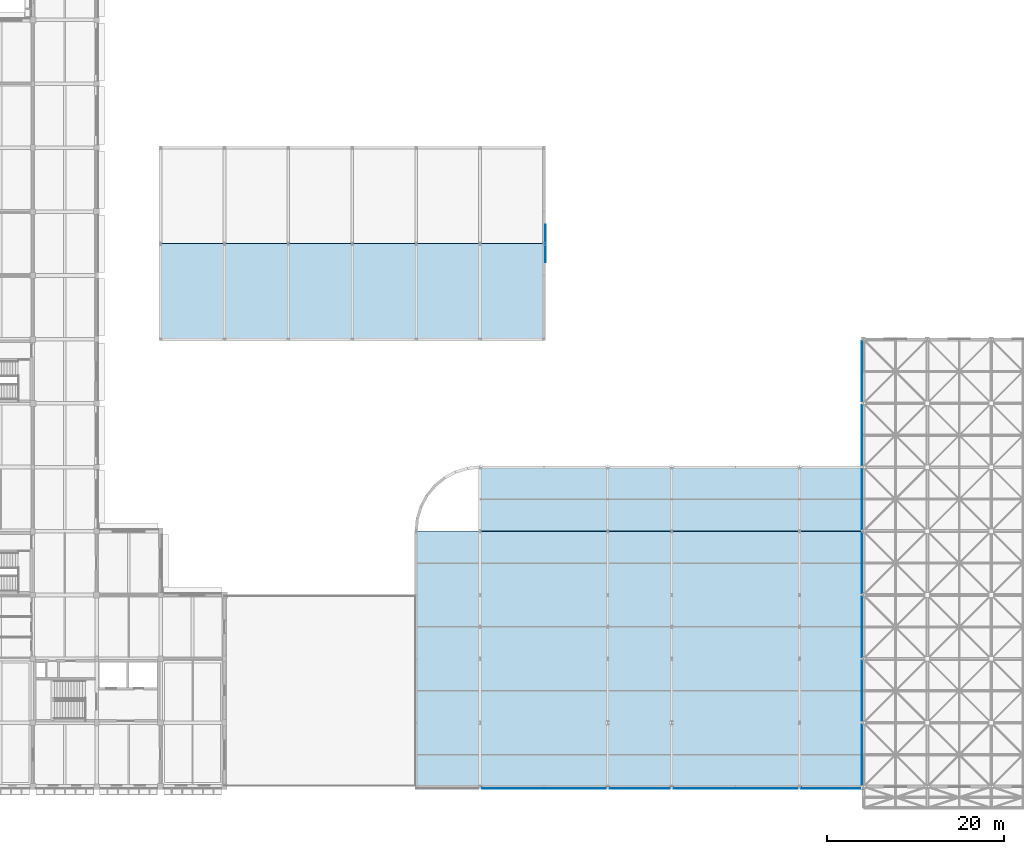
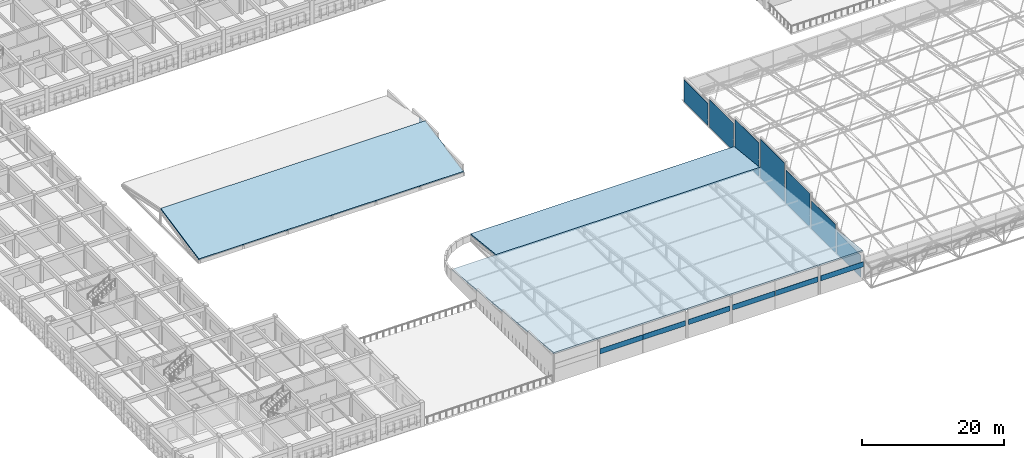
# One storey, part 69 of 103: 14 plates, 3 slabs, 2 elements without a shape of their own.
"""IFC4 building model written with IfcOpenShell, lengths in metres."""

from ifc_helpers import new_model, si_unit, direction, frame, origin, origin_2d, place, context, subcontext, project, spatial, polyline, rectangle, outline, extrude, material, layer, layer_set, type_object, element, aggregate, save


model = new_model("IFC4")

# Units and contexts
model_context = context("Model", 3, precision=1e-05, world=origin(), true_north=direction((0.0, 1.0)))
body_context = subcontext(model_context, "Body", "Model", "MODEL_VIEW")
ifc_project = project(units=[si_unit("LENGTHUNIT", "METRE"), si_unit("AREAUNIT", "SQUARE_METRE"), si_unit("VOLUMEUNIT", "CUBIC_METRE"), si_unit("PLANEANGLEUNIT", "RADIAN"), si_unit("MASSUNIT", "GRAM", prefix="KILO")], contexts=[model_context])

# Site, building, storey
site_placement = place(None, origin())
site = spatial("IfcSite", under=ifc_project, at=site_placement, CompositionType="ELEMENT")
building_placement = place(site_placement, origin())
building = spatial("IfcBuilding", under=site, at=building_placement, Name="Thalmaran Polytechnic", CompositionType="ELEMENT")
storey_placement = place(building_placement, frame((0.0, 0.0, 14.39990234375)))
storey = spatial("IfcBuildingStorey", under=building, at=storey_placement, Name="L03", CompositionType="ELEMENT", Elevation=14.39990234375)

# Plates
ifc_material_1 = material(Name="Anodised aluminium spandrel band", Category="aluminium")
ifc_layer_1 = layer(ifc_material_1, 0.054931640625, Name="Anodised aluminium spandrel band")
ifc_layer_set_1 = layer_set([ifc_layer_1], Name="Anodised aluminium spandrel band")
plate_type = type_object("IfcPlateType", Name="PT-BD01", PredefinedType="SHEET", material=ifc_layer_set_1)
plate_1_placement = place(storey_placement, frame((107.820068359375, 3.60009765625, 0.2802734375), z_axis=(0.0, 0.0, 1.0), x_axis=(1.0, 0.0, 0.0)))
element("IfcPlate", 1, at=plate_1_placement, inside=storey, type_object=plate_type, Name="Workshop Translucent Gable Clerestory Panel W-00", PredefinedType="SHEET", context=body_context, shape_type="SweptSolid", body=[
    extrude(rectangle(XDim=0.0400390625, YDim=6.780029296875, at=origin_2d()), origin(), (0.0, 0.0, 1.0), 3.843994140625),
])
plate_2_placement = place(storey_placement, frame((107.820068359375, 10.800048828125, 0.2802734375), z_axis=(0.0, 0.0, 1.0), x_axis=(1.0, 0.0, 0.0)))
element("IfcPlate", 2, at=plate_2_placement, inside=storey, type_object=plate_type, Name="Workshop Translucent Gable Clerestory Panel W-01", PredefinedType="SHEET", context=body_context, shape_type="SweptSolid", body=[
    extrude(rectangle(XDim=0.0400390625, YDim=6.780029296875, at=origin_2d()), origin(), (0.0, 0.0, 1.0), 4.791748046875),
])
plate_3_placement = place(storey_placement, frame((107.820068359375, 18.0, 0.280029296875), z_axis=(0.0, 0.0, 1.0), x_axis=(1.0, 0.0, 0.0)))
element("IfcPlate", 3, at=plate_3_placement, inside=storey, type_object=plate_type, Name="Workshop Translucent Gable Clerestory Panel W-02", PredefinedType="SHEET", context=body_context, shape_type="SweptSolid", body=[
    extrude(rectangle(XDim=0.0400390625, YDim=6.780029296875, at=origin_2d()), origin(), (0.0, 0.0, 1.0), 5.73974609375),
])
plate_4_placement = place(storey_placement, frame((107.820068359375, 25.199951171875, 0.280029296875), z_axis=(0.0, 0.0, 1.0), x_axis=(1.0, 0.0, 0.0)))
element("IfcPlate", 4, at=plate_4_placement, inside=storey, type_object=plate_type, Name="Workshop Translucent Gable Clerestory Panel W-03", PredefinedType="SHEET", context=body_context, shape_type="SweptSolid", body=[
    extrude(rectangle(XDim=0.0400390625, YDim=6.780029296875, at=origin_2d()), origin(), (0.0, 0.0, 1.0), 6.6875),
])
plate_5_placement = place(storey_placement, frame((107.820068359375, 32.39990234375, 0.280029296875), z_axis=(0.0, 0.0, 1.0), x_axis=(1.0, 0.0, 0.0)))
element("IfcPlate", 5, at=plate_5_placement, inside=storey, type_object=plate_type, Name="Workshop Translucent Gable Clerestory Panel W-04", PredefinedType="SHEET", context=body_context, shape_type="SweptSolid", body=[
    extrude(rectangle(XDim=0.0400390625, YDim=6.780029296875, at=origin_2d()), origin(), (0.0, 0.0, 1.0), 5.73974609375),
])
plate_6_placement = place(storey_placement, frame((107.820068359375, 39.60009765625, 0.2802734375), z_axis=(0.0, 0.0, 1.0), x_axis=(1.0, 0.0, 0.0)))
element("IfcPlate", 6, at=plate_6_placement, inside=storey, type_object=plate_type, Name="Workshop Translucent Gable Clerestory Panel W-05", PredefinedType="SHEET", context=body_context, shape_type="SweptSolid", body=[
    extrude(rectangle(XDim=0.0400390625, YDim=6.780029296875, at=origin_2d()), origin(), (0.0, 0.0, 1.0), 4.791748046875),
])
plate_7_placement = place(storey_placement, frame((107.820068359375, 46.800048828125, 0.2802734375), z_axis=(0.0, 0.0, 1.0), x_axis=(1.0, 0.0, 0.0)))
element("IfcPlate", 7, at=plate_7_placement, inside=storey, type_object=plate_type, Name="Workshop Translucent Gable Clerestory Panel W-06", PredefinedType="SHEET", context=body_context, shape_type="SweptSolid", body=[
    extrude(rectangle(XDim=0.0400390625, YDim=6.780029296875, at=origin_2d()), origin(), (0.0, 0.0, 1.0), 3.843994140625),
])
for number, where, z_axis, x_axis, name in (
    (8, (68.4951171875, -0.2099609375, 2.360107421875), (0.0, 0.0, 1.0), (1.0, 0.0, 0.0), "Lecture Auditorium Acoustic Fascia Band 09"),
    (9, (75.5048828125, -0.2099609375, 2.360107421875), (0.0, 0.0, 1.0), (1.0, 0.0, 0.0), "Lecture Auditorium Acoustic Fascia Band 10"),
):
    element("IfcPlate", number, at=place(storey_placement, frame(where, z_axis=z_axis, x_axis=x_axis)), inside=storey, type_object=plate_type, Name=name, PredefinedType="SHEET", context=body_context, shape_type="SweptSolid", body=[
        extrude(rectangle(XDim=6.949951171875, YDim=0.054931640625, at=origin_2d()), origin(), (0.0, 0.0, 1.0), 0.8798828125),
    ])
plate_8_placement = place(storey_placement, frame((82.800048828125, -0.2099609375, 2.360107421875), z_axis=(0.0, 0.0, 1.0), x_axis=(1.0, 0.0, 0.0)))
element("IfcPlate", 10, at=plate_8_placement, inside=storey, type_object=plate_type, Name="Lecture Auditorium Acoustic Fascia Band 11", PredefinedType="SHEET", context=body_context, shape_type="SweptSolid", body=[
    extrude(rectangle(XDim=6.760009765625, YDim=0.054931640625, at=origin_2d()), origin(), (0.0, 0.0, 1.0), 0.8798828125),
])
for number, where, z_axis, x_axis, name in (
    (11, (90.094970703125, -0.2099609375, 2.360107421875), (0.0, 0.0, 1.0), (1.0, 0.0, 0.0), "Lecture Auditorium Acoustic Fascia Band 12"),
    (12, (97.10498046875, -0.2099609375, 2.360107421875), (0.0, 0.0, 1.0), (1.0, 0.0, 0.0), "Lecture Auditorium Acoustic Fascia Band 13"),
    (13, (104.4951171875, -0.2099609375, 2.360107421875), (0.0, 0.0, 1.0), (1.0, 0.0, 0.0), "Lecture Auditorium Acoustic Fascia Band 14"),
):
    element("IfcPlate", number, at=place(storey_placement, frame(where, z_axis=z_axis, x_axis=x_axis)), inside=storey, type_object=plate_type, Name=name, PredefinedType="SHEET", context=body_context, shape_type="SweptSolid", body=[
        extrude(rectangle(XDim=6.949951171875, YDim=0.054931640625, at=origin_2d()), origin(), (0.0, 0.0, 1.0), 0.8798828125),
    ])
plate_9_placement = place(storey_placement, frame((72.159912109375, 61.199951171875, 0.7685546875), z_axis=(0.0, 0.0, 1.0), x_axis=(1.0, 0.0, 0.0)))
element("IfcPlate", 14, at=plate_9_placement, inside=storey, type_object=plate_type, Name="Refectory Gable Clerestory Glazing 8", PredefinedType="SHEET", context=body_context, shape_type="SweptSolid", body=[
    extrude(rectangle(XDim=0.0400390625, YDim=4.199951171875, at=origin_2d()), origin(), (0.0, 0.0, 1.0), 1.35009765625),
])

# Roof, slabs
ifc_material_2 = material(Name="High-SRI standing-seam aluminium roofing", Category="aluminium")
ifc_layer_2 = layer(ifc_material_2, 0.239990234375, Name="High-SRI standing-seam aluminium roofing")
ifc_layer_set_2 = layer_set([ifc_layer_2], Name="High-SRI standing-seam aluminium roofing")
roof_type_1 = type_object("IfcRoofType", Name="RF-GB01", PredefinedType="GABLE_ROOF", material=ifc_layer_set_2)
roof_1_placement = place(storey_placement, origin())
roof_1 = element("IfcRoof", 15, at=roof_1_placement, inside=storey, type_object=roof_type_1, Name="Lecture Theatres Raked Acoustic Truss Roof", PredefinedType="GABLE_ROOF")
ifc_material_3 = material(Name="Concrete C40/50", Category="concrete")
ifc_layer_3 = layer(ifc_material_3, 0.235107421875, Name="Concrete C40/50")
ifc_layer_set_3 = layer_set([ifc_layer_3], Name="Concrete C40/50")
slab_type_1 = type_object("IfcSlabType", Name="SL-RF02", PredefinedType="ROOF", material=ifc_layer_set_3)
slab_1_placement = place(storey_placement, frame((57.60009765625, 0.0, 5.050048828125), z_axis=(0.0, 0.10633222778, 0.994330657948), x_axis=(1.0, 0.0, 0.0)))
slab_1 = element("IfcSlab", 16, at=slab_1_placement, type_object=slab_type_1, Name="Lecture Theatres Raked Roof Main", PredefinedType="ROOF", context=body_context, shape_type="SweptSolid", body=[
    extrude(outline(polyline([(0.0, 0.0), (50.39990234375, 0.0), (50.39990234375, 28.96425710895578), (0.0, 28.96425710895578), (0.0, 0.0)])), origin(), (0.0, 0.0, -1.0), 0.235107421875),
])
slab_2_placement = place(storey_placement, frame((64.800048828125, 28.800048828125, 1.97021484375), z_axis=(0.0, 0.106341452768, 0.994329671398), x_axis=(1.0, 0.0, 0.0)))
slab_2 = element("IfcSlab", 17, at=slab_2_placement, type_object=slab_type_1, Name="Lecture Theatres Raked Roof Court Eave", PredefinedType="ROOF", context=body_context, shape_type="SweptSolid", body=[
    extrude(outline(polyline([(0.0, 0.0), (43.199951171875, 0.0), (43.199951171875, 7.241010078427639), (0.0, 7.241010078427639), (0.0, 0.0)])), origin(), (0.0, 0.0, -1.0), 0.235107421875),
])
aggregate(roof_1, [slab_1, slab_2])

# Roof, slab
ifc_layer_4 = layer(ifc_material_2, 0.2099609375, Name="High-SRI standing-seam aluminium roofing")
ifc_layer_set_4 = layer_set([ifc_layer_4], Name="High-SRI standing-seam aluminium roofing")
roof_type_2 = type_object("IfcRoofType", Name="RF-BR01", PredefinedType="BARREL_ROOF", material=ifc_layer_set_4)
roof_2_placement = place(storey_placement, origin())
roof_2 = element("IfcRoof", 18, at=roof_2_placement, inside=storey, type_object=roof_type_2, Name="Refectory Streamline Parasol Roof", PredefinedType="BARREL_ROOF")
ifc_layer_5 = layer(ifc_material_3, 0.219970703125, Name="Concrete C40/50")
ifc_layer_set_5 = layer_set([ifc_layer_5], Name="Concrete C40/50")
slab_type_2 = type_object("IfcSlabType", Name="SL-RF03", PredefinedType="ROOF", material=ifc_layer_set_5)
slab_3_placement = place(storey_placement, frame((28.800048828125, 50.39990234375, 0.72021484375), z_axis=(0.0, -0.199365395278, 0.979925221211), x_axis=(1.0, 0.0, 0.0)))
slab_3 = element("IfcSlab", 19, at=slab_3_placement, type_object=slab_type_2, Name="Refectory Parasol Roof S", PredefinedType="ROOF", context=body_context, shape_type="SweptSolid", body=[
    extrude(outline(polyline([(0.0, 0.0), (43.199951171875, 0.0), (43.199951171875, 11.02129896685009), (0.0, 11.02129896685009), (0.0, 0.0)])), origin(), (0.0, 0.0, -1.0), 0.219970703125),
])
aggregate(roof_2, [slab_3])

save(model, "model.ifc")
